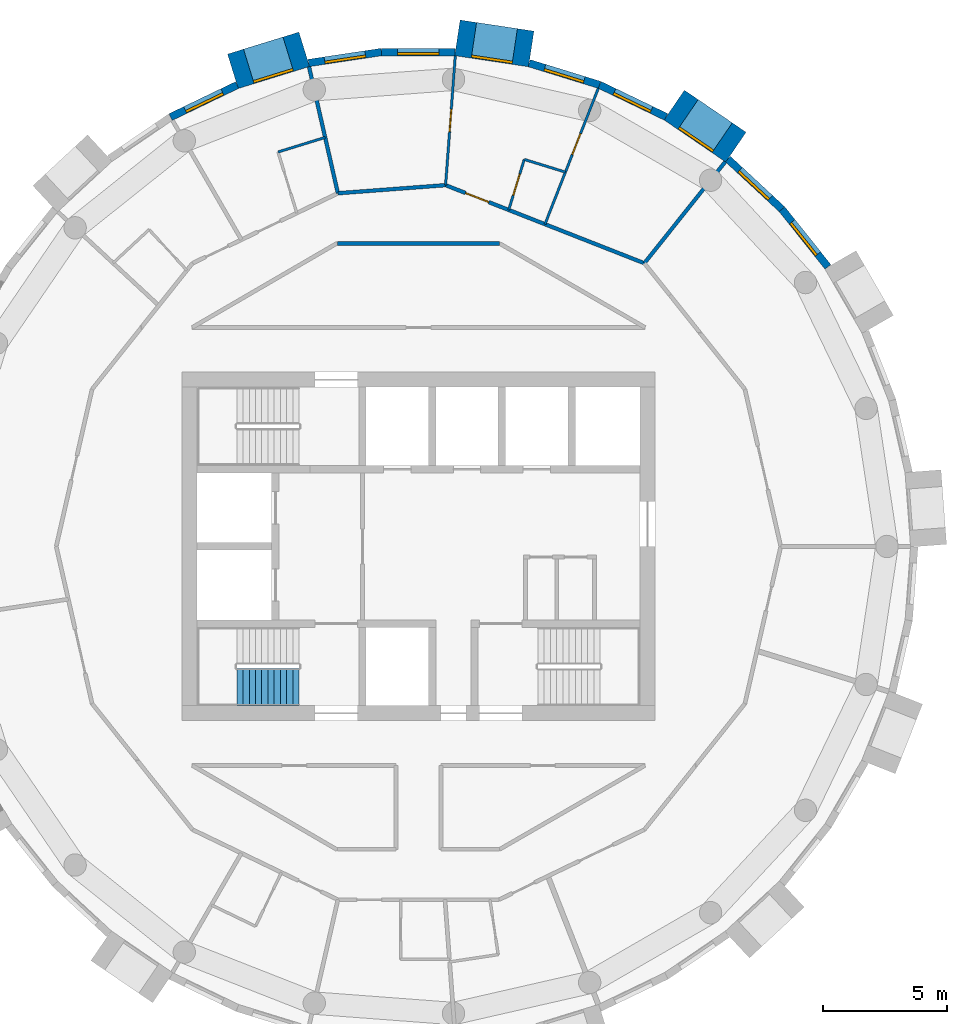
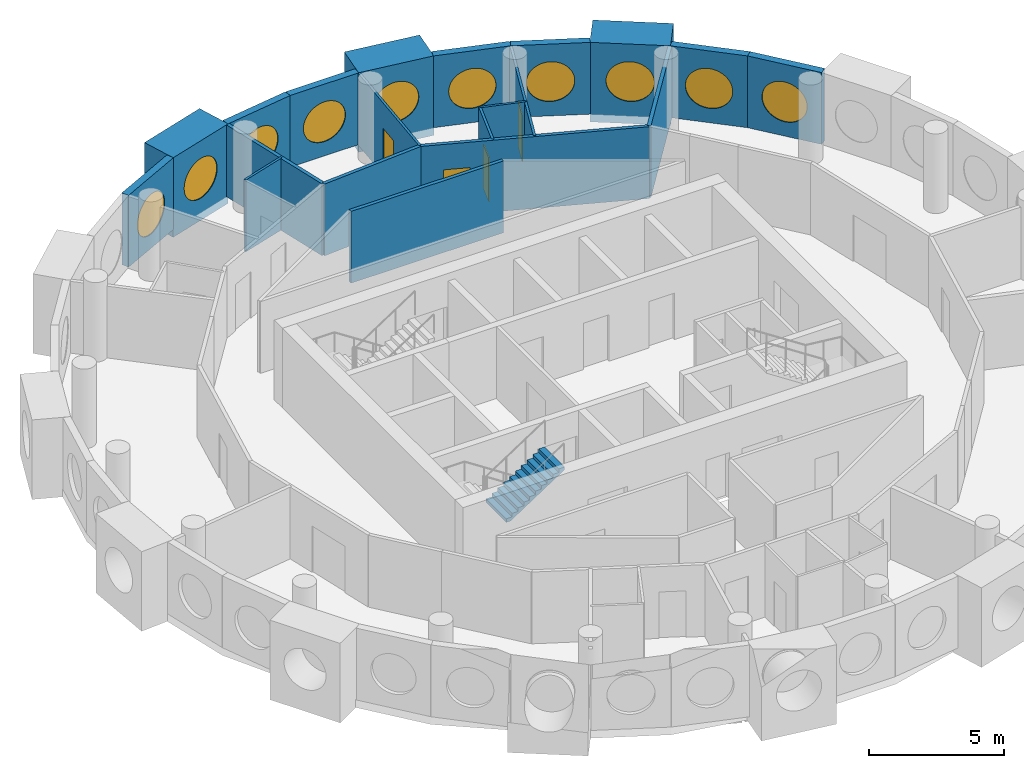
# One storey, part 11 of 13: 21 walls, 10 windows, 4 doors, 1 stair flight, 14 openings, 1 element without a shape of its own.
"""IFC4 building model written with IfcOpenShell, lengths in metres."""

import ifcopenshell
import ifcopenshell.guid

model = None  # the IFC model being written
_history = None  # IfcOwnerHistory: only IFC2X3 demands one
_inside = {}  # id of a spatial element -> (the spatial element, [elements in it])
_under = {}  # id of a project, library or spatial element -> (it, [spatial elements below it])
_declared = {}  # id of a project -> (the project, [libraries it declares])
_typed = {}  # id of a type object -> (the type object, [elements of that type])
_made_of = {}  # id of a material, layer set ... -> (it, [elements and type objects made of it])


def new_model(schema):
    """Start an empty IFC model of exactly this schema.

    Asked for "IFC4X3", IfcOpenShell would pick the latest addendum, in which some entities
    have other attributes; the version numbers below select the first issue.
    IFC2X3 requires an IfcOwnerHistory on every rooted entity: one is made here for all.
    """
    global model, _history
    if schema == "IFC4X3":
        model = ifcopenshell.file(schema_version=(4, 3, 0, 0))
    else:
        model = ifcopenshell.file(schema=schema)
    _inside.clear()
    _under.clear()
    _declared.clear()
    _typed.clear()
    _made_of.clear()
    _history = None
    if model.schema == "IFC2X3":
        org = make("IfcOrganization", Name="unknown")
        user = make(
            "IfcPersonAndOrganization",
            ThePerson=make("IfcPerson", FamilyName="unknown"),
            TheOrganization=org,
        )
        app = make(
            "IfcApplication",
            ApplicationDeveloper=org,
            Version="unknown",
            ApplicationFullName="unknown",
            ApplicationIdentifier="unknown",
        )
        _history = make(
            "IfcOwnerHistory",
            OwningUser=user,
            OwningApplication=app,
            ChangeAction="ADDED",
            CreationDate=0,
        )
    return model


def make(cls, **values):
    """One entity of the class cls with the attributes given. An attribute that is None is left unset."""
    return model.create_entity(
        cls, **{name: value for name, value in values.items() if value is not None}
    )


def rooted(cls, **values):
    """An entity with a GlobalId (a new one), such as an element, a storey or a relation."""
    return make(cls, GlobalId=ifcopenshell.guid.new(), OwnerHistory=_history, **values)


def si_unit(unit_type, name, prefix=None):
    """IfcSIUnit, for example si_unit("LENGTHUNIT", "METRE", prefix="MILLI")."""
    return make("IfcSIUnit", UnitType=unit_type, Prefix=prefix, Name=name)


def assignment(units):
    """IfcUnitAssignment: the units of a project."""
    return None if units is None else make("IfcUnitAssignment", Units=units)


def point(xyz):
    """IfcCartesianPoint."""
    return None if xyz is None else make("IfcCartesianPoint", Coordinates=xyz)


def direction(xyz):
    """IfcDirection."""
    return None if xyz is None else make("IfcDirection", DirectionRatios=xyz)


def frame(location, z_axis=None, x_axis=None):
    """IfcAxis2Placement3D, a coordinate frame: its origin and axes. An axis left out is left unset."""
    return make(
        "IfcAxis2Placement3D",
        Location=point(location),
        Axis=direction(z_axis),
        RefDirection=direction(x_axis),
    )


def frame_2d(location, x_axis=None):
    """IfcAxis2Placement2D, a coordinate frame in the plane: its origin and x axis."""
    return make(
        "IfcAxis2Placement2D", Location=point(location), RefDirection=direction(x_axis)
    )


def origin():
    """The frame at (0, 0, 0) with its axes left unset."""
    return frame((0.0, 0.0, 0.0))


def origin_2d():
    """The frame at (0, 0) in the plane with its x axis left unset."""
    return frame_2d((0.0, 0.0))


def place(relative_to, where):
    """IfcLocalPlacement: puts the frame where relative to a parent placement (None: the world)."""
    return make(
        "IfcLocalPlacement", PlacementRelTo=relative_to, RelativePlacement=where
    )


def context(
    kind, dimensions, precision=None, world=None, true_north=None, identifier=None
):
    """IfcGeometricRepresentationContext, for example the 3D "Model" context."""
    return make(
        "IfcGeometricRepresentationContext",
        ContextIdentifier=identifier,
        ContextType=kind,
        CoordinateSpaceDimension=dimensions,
        Precision=precision,
        WorldCoordinateSystem=world,
        TrueNorth=true_north,
    )


def subcontext(parent, identifier, kind, view, scale=None):
    """IfcGeometricRepresentationSubContext, for example "Body" below "Model"."""
    return make(
        "IfcGeometricRepresentationSubContext",
        ContextIdentifier=identifier,
        ContextType=kind,
        ParentContext=parent,
        TargetScale=scale,
        TargetView=view,
    )


def project(units=None, contexts=None):
    """IfcProject with its units and contexts."""
    return rooted(
        "IfcProject",
        Name="project",
        RepresentationContexts=contexts,
        UnitsInContext=assignment(units),
    )


def spatial(cls, under=None, at=None, **own):
    """A site, building, storey or space (cls), placed at a placement, below another one or the project."""
    s = rooted(cls, ObjectPlacement=at, **own)
    if under is not None:
        _under.setdefault(under.id(), (under, []))[1].append(s)
    return s


def polyline(points):
    """IfcPolyline through the points."""
    return make("IfcPolyline", Points=[point(p) for p in points])


def profile(cls, at=None, kind="AREA", **sizes):
    """A parametric profile (cls). Its sizes go by their IFC names, for example OverallWidth=200.0."""
    return make(cls, ProfileType=kind, Position=at, **sizes)


def rectangle(**sizes):
    """IfcRectangleProfileDef."""
    return profile("IfcRectangleProfileDef", **sizes)


def circle(**sizes):
    """IfcCircleProfileDef."""
    return profile("IfcCircleProfileDef", **sizes)


def outline(outer, holes=None, kind="AREA"):
    """IfcArbitraryClosedProfileDef: a profile drawn as a closed curve; with holes, ...WithVoids."""
    if holes is None:
        return make("IfcArbitraryClosedProfileDef", ProfileType=kind, OuterCurve=outer)
    return make(
        "IfcArbitraryProfileDefWithVoids",
        ProfileType=kind,
        OuterCurve=outer,
        InnerCurves=holes,
    )


def extrude(swept, where, along, depth):
    """IfcExtrudedAreaSolid: the profile swept, set in the frame where, extruded along a direction by depth."""
    return make(
        "IfcExtrudedAreaSolid",
        SweptArea=swept,
        Position=where,
        ExtrudedDirection=direction(along),
        Depth=depth,
    )


def shape(context_of_items, identifier, shape_type, items):
    """IfcShapeRepresentation: the items that make up one representation, for example the "Body"."""
    return make(
        "IfcShapeRepresentation",
        ContextOfItems=context_of_items,
        RepresentationIdentifier=identifier,
        RepresentationType=shape_type,
        Items=items,
    )


def material(Name=None, Category=None):
    """IfcMaterial."""
    return make("IfcMaterial", Name=Name, Category=Category)


def layer(
    of_material, thickness, ventilated=None, Name=None, Category=None, Priority=None
):
    """IfcMaterialLayer: one layer of a wall or slab, of a material (None: an air gap)."""
    return make(
        "IfcMaterialLayer",
        Material=of_material,
        LayerThickness=thickness,
        IsVentilated=ventilated,
        Name=Name,
        Category=Category,
        Priority=Priority,
    )


def layer_set(layers, Name=None):
    """IfcMaterialLayerSet."""
    return make("IfcMaterialLayerSet", MaterialLayers=layers, LayerSetName=Name)


def made_of(thing, what):
    """Note that an element or type object is made of a material, layer set ...; save() writes the relation."""
    if what is not None:
        _made_of.setdefault(what.id(), (what, []))[1].append(thing)
    return thing


def type_object(cls, material=None, **own):
    """A type object (cls), such as IfcWallType, which elements share."""
    return made_of(rooted(cls, **own), material)


def element(
    cls,
    number,
    at=None,
    inside=None,
    cuts=None,
    type_object=None,
    material=None,
    context=None,
    identifier="Body",
    shape_type=None,
    held_by="IfcProductDefinitionShape",
    body=None,
    shapes=None,
    **own,
):
    """One element of the class cls, such as IfcWall. Its Tag is "e" and its number.

    at: its placement. inside: the storey or other place that contains it. cuts: it is an
    opening in that element (IfcRelVoidsElement). A single representation is given by context,
    identifier, shape_type and body (its items); several are given by shapes. held_by: the class
    of the entity that holds the representations. save() writes the other relations.
    """
    e = rooted(cls, Tag="e%d" % number, ObjectPlacement=at, **own)
    if body is not None:
        shapes = [shape(context, identifier, shape_type, body)]
    if shapes is not None:
        e.Representation = make(held_by, Representations=shapes)
    if inside is not None:
        _inside.setdefault(inside.id(), (inside, []))[1].append(e)
    if cuts is not None:
        rooted(
            "IfcRelVoidsElement", RelatingBuildingElement=cuts, RelatedOpeningElement=e
        )
    if type_object is not None:
        _typed.setdefault(type_object.id(), (type_object, []))[1].append(e)
    return made_of(e, material)


def fill(opening, filler):
    """IfcRelFillsElement: the door or window that sits in an opening."""
    return rooted(
        "IfcRelFillsElement",
        RelatingOpeningElement=opening,
        RelatedBuildingElement=filler,
    )


def aggregate(whole, parts):
    """IfcRelAggregates: a whole, such as a stair, and the parts it consists of."""
    return rooted("IfcRelAggregates", RelatingObject=whole, RelatedObjects=parts)


def save(model, path):
    """Write the relations noted so far, then the file.

    IfcRelAggregates (storeys below a building ...), IfcRelContainedInSpatialStructure (elements
    in a storey), IfcRelDefinesByType, IfcRelAssociatesMaterial and IfcRelDeclares: one each for
    every whole, place, type object, material and project.
    """
    for whole, parts in _under.values():
        aggregate(whole, parts)
    for where, things in _inside.values():
        rooted(
            "IfcRelContainedInSpatialStructure",
            RelatedElements=things,
            RelatingStructure=where,
        )
    for kind, things in _typed.values():
        rooted("IfcRelDefinesByType", RelatedObjects=things, RelatingType=kind)
    for what, things in _made_of.values():
        rooted("IfcRelAssociatesMaterial", RelatedObjects=things, RelatingMaterial=what)
    for by, libraries in _declared.values():
        rooted("IfcRelDeclares", RelatingContext=by, RelatedDefinitions=libraries)
    model.write(path)


model = new_model("IFC4")

# Units and contexts
model_context = context("Model", 3, precision=1e-05, world=origin(), true_north=direction((0.0, 1.0)))
body_context = subcontext(model_context, "Body", "Model", "MODEL_VIEW")
ifc_project = project(units=[si_unit("LENGTHUNIT", "METRE"), si_unit("AREAUNIT", "SQUARE_METRE"), si_unit("VOLUMEUNIT", "CUBIC_METRE"), si_unit("PLANEANGLEUNIT", "RADIAN"), si_unit("MASSUNIT", "GRAM", prefix="KILO")], contexts=[model_context])

# Site, building, storey
site_placement = place(None, origin())
site = spatial("IfcSite", under=ifc_project, at=site_placement, CompositionType="ELEMENT")
building_placement = place(site_placement, origin())
building = spatial("IfcBuilding", under=site, at=building_placement, Name="Tracery Tower", CompositionType="ELEMENT")
storey_placement = place(building_placement, frame((0.0, 0.0, 316.199951171875)))
storey = spatial("IfcBuildingStorey", under=building, at=storey_placement, Name="L82", CompositionType="ELEMENT", Elevation=316.199951171875)

# Wall, opening, window
ifc_material_1 = material(Name="Precast concrete C50/60", Category="concrete")
ifc_layer_1 = layer(ifc_material_1, 1.449951171875)
ifc_layer_set_1 = layer_set([ifc_layer_1], Name="Deep-set bay unit 3000 x 3600, slab edge 350")
wall_type_1 = type_object("IfcWallType", Name="Deep-set bay unit 3000 x 3600, slab edge 350", PredefinedType="ELEMENTEDWALL", material=ifc_layer_set_1)
wall_1_placement = place(storey_placement, frame((12.754150390625, 16.044189453125, -0.349853515625), z_axis=(0.0, 0.0, 1.0), x_axis=(-0.826246281157, 0.563309047392, 0.0)))
wall_1 = element("IfcWall", 1, at=wall_1_placement, inside=storey, type_object=wall_type_1, Name="Deep-set bay unit 7 at L82", PredefinedType="ELEMENTEDWALL", context=body_context, shape_type="SweptSolid", body=[
    extrude(rectangle(XDim=3.0, YDim=1.449951171875, at=frame_2d((1.5, 0.0))), origin(), (0.0, 0.0, 1.0), 3.599853515625),
])
opening_1_placement = place(wall_1_placement, frame((1.5, 0.0, 1.89990234375)))
opening_1 = element("IfcOpeningElement", 2, at=opening_1_placement, cuts=wall_1, Name="Opening WN1", PredefinedType="OPENING", context=body_context, shape_type="SweptSolid", body=[
    extrude(circle(Radius=0.9000244140625, at=origin_2d()), frame((0.0, 0.73486328125, 0.0), z_axis=(0.0, -1.0, 0.0), x_axis=(1.0, 0.0, 0.0)), (0.0, 0.0, 1.0), 1.469970703125),
])
ifc_material_2 = material(Name="Aluminium frame with tinted double glazing", Category="aluminium")
window_type = type_object("IfcWindowType", Name="Round window 1800", PartitioningType="SINGLE_PANEL", PredefinedType="WINDOW", material=ifc_material_2)
window_1_placement = place(opening_1_placement, origin())
window_1 = element("IfcWindow", 3, at=window_1_placement, inside=storey, type_object=window_type, Name="Round window 7 at L82", OverallHeight=1.800048828125, OverallWidth=1.800048828125, PartitioningType="SINGLE_PANEL", PredefinedType="WINDOW", context=body_context, shape_type="SweptSolid", body=[
    extrude(circle(Radius=0.9000244140625, at=origin_2d()), frame((0.0, 0.69482421875, 0.0), z_axis=(0.0, -1.0, 0.0), x_axis=(1.0, 0.0, 0.0)), (0.0, 0.0, 1.0), 0.10009765625),
])
fill(opening_1, window_1)

wall_2_placement = place(storey_placement, frame((4.52978515625, 19.9892578125, -0.349853515625), z_axis=(0.0, 0.0, 1.0), x_axis=(-0.988836445254, 0.149004981587, 0.0)))
wall_2 = element("IfcWall", 4, at=wall_2_placement, inside=storey, type_object=wall_type_1, Name="Deep-set bay unit 10 at L82", PredefinedType="ELEMENTEDWALL", context=body_context, shape_type="SweptSolid", body=[
    extrude(rectangle(XDim=3.0, YDim=1.449951171875, at=frame_2d((1.5, 0.0))), origin(), (0.0, 0.0, 1.0), 3.599853515625),
])
opening_2_placement = place(wall_2_placement, frame((1.5, 0.0, 1.89990234375)))
opening_2 = element("IfcOpeningElement", 5, at=opening_2_placement, cuts=wall_2, Name="Opening WN1", PredefinedType="OPENING", context=body_context, shape_type="SweptSolid", body=[
    extrude(circle(Radius=0.9000244140625, at=origin_2d()), frame((0.0, 0.73486328125, 0.0), z_axis=(0.0, -1.0, 0.0), x_axis=(1.0, 0.0, 0.0)), (0.0, 0.0, 1.0), 1.469970703125),
])
window_2_placement = place(opening_2_placement, origin())
window_2 = element("IfcWindow", 6, at=window_2_placement, inside=storey, type_object=window_type, Name="Round window 10 at L82", OverallHeight=1.800048828125, OverallWidth=1.800048828125, PartitioningType="SINGLE_PANEL", PredefinedType="WINDOW", context=body_context, shape_type="SweptSolid", body=[
    extrude(circle(Radius=0.9000244140625, at=origin_2d()), frame((0.0, 0.69482421875, 0.0), z_axis=(0.0, -1.0, 0.0), x_axis=(1.0, 0.0, 0.0)), (0.0, 0.0, 1.0), 0.10009765625),
])
fill(opening_2, window_2)

wall_3_placement = place(storey_placement, frame((-4.591796875, 19.97509765625, -0.349853515625), z_axis=(0.0, 0.0, 1.0), x_axis=(-0.955571139978, -0.294760574774, 0.0)))
wall_3 = element("IfcWall", 7, at=wall_3_placement, inside=storey, type_object=wall_type_1, Name="Deep-set bay unit 13 at L82", PredefinedType="ELEMENTEDWALL", context=body_context, shape_type="SweptSolid", body=[
    extrude(rectangle(XDim=3.0, YDim=1.449951171875, at=frame_2d((1.5, 0.0))), origin(), (0.0, 0.0, 1.0), 3.599853515625),
])
opening_3_placement = place(wall_3_placement, frame((1.5, 0.0, 1.89990234375)))
opening_3 = element("IfcOpeningElement", 8, at=opening_3_placement, cuts=wall_3, Name="Opening WN1", PredefinedType="OPENING", context=body_context, shape_type="SweptSolid", body=[
    extrude(circle(Radius=0.9000244140625, at=origin_2d()), frame((0.0, 0.73486328125, 0.0), z_axis=(0.0, -1.0, 0.0), x_axis=(1.0, 0.0, 0.0)), (0.0, 0.0, 1.0), 1.469970703125),
])
window_3_placement = place(opening_3_placement, origin())
window_3 = element("IfcWindow", 9, at=window_3_placement, inside=storey, type_object=window_type, Name="Round window 13 at L82", OverallHeight=1.800048828125, OverallWidth=1.800048828125, PartitioningType="SINGLE_PANEL", PredefinedType="WINDOW", context=body_context, shape_type="SweptSolid", body=[
    extrude(circle(Radius=0.9000244140625, at=origin_2d()), frame((0.0, 0.69482421875, 0.0), z_axis=(0.0, -1.0, 0.0), x_axis=(1.0, 0.0, 0.0)), (0.0, 0.0, 1.0), 0.10009765625),
])
fill(opening_3, window_3)

ifc_material_3 = material(Name="Precast concrete C50/60", Category="concrete")
ifc_layer_2 = layer(ifc_material_3, 0.300048828125)
ifc_layer_set_2 = layer_set([ifc_layer_2], Name="Facade panel 3000 x 3250")
wall_type_2 = type_object("IfcWallType", Name="Facade panel 3000 x 3250", PredefinedType="SOLIDWALL", material=ifc_layer_set_2)
wall_4_placement = place(storey_placement, frame((16.45068359375, 11.234375, 0.0), z_axis=(0.0, 0.0, 1.0), x_axis=(-0.623498236992, 0.781824755599, 0.0)))
wall_4 = element("IfcWall", 10, at=wall_4_placement, inside=storey, type_object=wall_type_2, Name="Facade panel 5 at L82", PredefinedType="SOLIDWALL", context=body_context, shape_type="SweptSolid", body=[
    extrude(rectangle(XDim=2.962158203125, YDim=0.300048828125, at=frame_2d((1.48095703125, 0.0))), origin(), (0.0, 0.0, 1.0), 3.25),
])
opening_4_placement = place(wall_4_placement, frame((1.48095703125, 0.0, 1.5498046875)))
opening_4 = element("IfcOpeningElement", 11, at=opening_4_placement, cuts=wall_4, Name="Opening WN1", PredefinedType="OPENING", context=body_context, shape_type="SweptSolid", body=[
    extrude(circle(Radius=0.9000244140625, at=origin_2d()), frame((0.0, 0.159912109375, 0.0), z_axis=(0.0, -1.0, 0.0), x_axis=(1.0, 0.0, 0.0)), (0.0, 0.0, 1.0), 0.320068359375),
])
window_4_placement = place(opening_4_placement, origin())
window_4 = element("IfcWindow", 12, at=window_4_placement, inside=storey, type_object=window_type, Name="Round window 5 at L82", OverallHeight=1.800048828125, OverallWidth=1.800048828125, PartitioningType="SINGLE_PANEL", PredefinedType="WINDOW", context=body_context, shape_type="SweptSolid", body=[
    extrude(circle(Radius=0.9000244140625, at=origin_2d()), frame((0.0, 0.1201171875, 0.0), z_axis=(0.0, -1.0, 0.0), x_axis=(1.0, 0.0, 0.0)), (0.0, 0.0, 1.0), 0.10009765625),
])
fill(opening_4, window_4)

wall_5_placement = place(storey_placement, frame((14.603759765625, 13.55029296875, 0.0), z_axis=(0.0, 0.0, 1.0), x_axis=(-0.733066412643, 0.680157066165, 0.0)))
wall_5 = element("IfcWall", 13, at=wall_5_placement, inside=storey, type_object=wall_type_2, Name="Facade panel 6 at L82", PredefinedType="SOLIDWALL", context=body_context, shape_type="SweptSolid", body=[
    extrude(rectangle(XDim=2.96240234375, YDim=0.300048828125, at=frame_2d((1.481201171875, 0.0))), origin(), (0.0, 0.0, 1.0), 3.25),
])
opening_5_placement = place(wall_5_placement, frame((1.48095703125, 0.0, 1.5498046875)))
opening_5 = element("IfcOpeningElement", 14, at=opening_5_placement, cuts=wall_5, Name="Opening WN1", PredefinedType="OPENING", context=body_context, shape_type="SweptSolid", body=[
    extrude(circle(Radius=0.9000244140625, at=origin_2d()), frame((0.0, 0.159912109375, 0.0), z_axis=(0.0, -1.0, 0.0), x_axis=(1.0, 0.0, 0.0)), (0.0, 0.0, 1.0), 0.320068359375),
])
window_5_placement = place(opening_5_placement, origin())
window_5 = element("IfcWindow", 15, at=window_5_placement, inside=storey, type_object=window_type, Name="Round window 6 at L82", OverallHeight=1.800048828125, OverallWidth=1.800048828125, PartitioningType="SINGLE_PANEL", PredefinedType="WINDOW", context=body_context, shape_type="SweptSolid", body=[
    extrude(circle(Radius=0.9000244140625, at=origin_2d()), frame((0.0, 0.1201171875, 0.0), z_axis=(0.0, -1.0, 0.0), x_axis=(1.0, 0.0, 0.0)), (0.0, 0.0, 1.0), 0.10009765625),
])
fill(opening_5, window_5)

wall_6_placement = place(storey_placement, frame((9.947021484375, 17.25927734375, 0.0), z_axis=(0.0, 0.0, 1.0), x_axis=(-0.900939615635, 0.433944476838, 0.0)))
wall_6 = element("IfcWall", 16, at=wall_6_placement, inside=storey, type_object=wall_type_2, Name="Facade panel 8 at L82", PredefinedType="SOLIDWALL", context=body_context, shape_type="SweptSolid", body=[
    extrude(rectangle(XDim=2.962158203125, YDim=0.300048828125, at=frame_2d((1.48095703125, 0.0))), origin(), (0.0, 0.0, 1.0), 3.25),
])
opening_6_placement = place(wall_6_placement, frame((1.48095703125, 0.0, 1.5498046875)))
opening_6 = element("IfcOpeningElement", 17, at=opening_6_placement, cuts=wall_6, Name="Opening WN1", PredefinedType="OPENING", context=body_context, shape_type="SweptSolid", body=[
    extrude(circle(Radius=0.9000244140625, at=origin_2d()), frame((0.0, 0.159912109375, 0.0), z_axis=(0.0, -1.0, 0.0), x_axis=(1.0, 0.0, 0.0)), (0.0, 0.0, 1.0), 0.320068359375),
])
window_6_placement = place(opening_6_placement, origin())
window_6 = element("IfcWindow", 18, at=window_6_placement, inside=storey, type_object=window_type, Name="Round window 8 at L82", OverallHeight=1.800048828125, OverallWidth=1.800048828125, PartitioningType="SINGLE_PANEL", PredefinedType="WINDOW", context=body_context, shape_type="SweptSolid", body=[
    extrude(circle(Radius=0.9000244140625, at=origin_2d()), frame((0.0, 0.1201171875, 0.0), z_axis=(0.0, -1.0, 0.0), x_axis=(1.0, 0.0, 0.0)), (0.0, 0.0, 1.0), 0.10009765625),
])
fill(opening_6, window_6)

wall_7_placement = place(storey_placement, frame((7.2783203125, 18.544677734375, 0.0), z_axis=(0.0, 0.0, 1.0), x_axis=(-0.95558635705, 0.294711238707, 0.0)))
wall_7 = element("IfcWall", 19, at=wall_7_placement, inside=storey, type_object=wall_type_2, Name="Facade panel 9 at L82", PredefinedType="SOLIDWALL", context=body_context, shape_type="SweptSolid", body=[
    extrude(rectangle(XDim=2.96240234375, YDim=0.300048828125, at=frame_2d((1.481201171875, 0.0))), origin(), (0.0, 0.0, 1.0), 3.25),
])
opening_7_placement = place(wall_7_placement, frame((1.48095703125, 0.0, 1.5498046875)))
opening_7 = element("IfcOpeningElement", 20, at=opening_7_placement, cuts=wall_7, Name="Opening WN1", PredefinedType="OPENING", context=body_context, shape_type="SweptSolid", body=[
    extrude(circle(Radius=0.9000244140625, at=origin_2d()), frame((0.0, 0.159912109375, 0.0), z_axis=(0.0, -1.0, 0.0), x_axis=(1.0, 0.0, 0.0)), (0.0, 0.0, 1.0), 0.320068359375),
])
window_7_placement = place(opening_7_placement, origin())
window_7 = element("IfcWindow", 21, at=window_7_placement, inside=storey, type_object=window_type, Name="Round window 9 at L82", OverallHeight=1.800048828125, OverallWidth=1.800048828125, PartitioningType="SINGLE_PANEL", PredefinedType="WINDOW", context=body_context, shape_type="SweptSolid", body=[
    extrude(circle(Radius=0.9000244140625, at=origin_2d()), frame((0.0, 0.1201171875, 0.0), z_axis=(0.0, -1.0, 0.0), x_axis=(1.0, 0.0, 0.0)), (0.0, 0.0, 1.0), 0.10009765625),
])
fill(opening_7, window_7)

wall_8_placement = place(storey_placement, frame((1.473388671875, 19.865966796875, 0.0), z_axis=(0.0, 0.0, 1.0), x_axis=(-1.0, 0.0, 0.0)))
wall_8 = element("IfcWall", 22, at=wall_8_placement, inside=storey, type_object=wall_type_2, Name="Facade panel 11 at L82", PredefinedType="SOLIDWALL", context=body_context, shape_type="SweptSolid", body=[
    extrude(rectangle(XDim=2.962158203125, YDim=0.300048828125, at=frame_2d((1.48095703125, 0.0))), origin(), (0.0, 0.0, 1.0), 3.25),
])
opening_8_placement = place(wall_8_placement, frame((1.48095703125, 0.0, 1.5498046875)))
opening_8 = element("IfcOpeningElement", 23, at=opening_8_placement, cuts=wall_8, Name="Opening WN1", PredefinedType="OPENING", context=body_context, shape_type="SweptSolid", body=[
    extrude(circle(Radius=0.9000244140625, at=origin_2d()), frame((0.0, 0.159912109375, 0.0), z_axis=(0.0, -1.0, 0.0), x_axis=(1.0, 0.0, 0.0)), (0.0, 0.0, 1.0), 0.320068359375),
])
window_8_placement = place(opening_8_placement, origin())
window_8 = element("IfcWindow", 24, at=window_8_placement, inside=storey, type_object=window_type, Name="Round window 11 at L82", OverallHeight=1.800048828125, OverallWidth=1.800048828125, PartitioningType="SINGLE_PANEL", PredefinedType="WINDOW", context=body_context, shape_type="SweptSolid", body=[
    extrude(circle(Radius=0.9000244140625, at=origin_2d()), frame((0.0, 0.1201171875, 0.0), z_axis=(0.0, -1.0, 0.0), x_axis=(1.0, 0.0, 0.0)), (0.0, 0.0, 1.0), 0.10009765625),
])
fill(opening_8, window_8)

wall_9_placement = place(storey_placement, frame((-1.48876953125, 19.865966796875, 0.0), z_axis=(0.0, 0.0, 1.0), x_axis=(-0.988835775663, -0.149009425104, 0.0)))
wall_9 = element("IfcWall", 25, at=wall_9_placement, inside=storey, type_object=wall_type_2, Name="Facade panel 12 at L82", PredefinedType="SOLIDWALL", context=body_context, shape_type="SweptSolid", body=[
    extrude(rectangle(XDim=2.962158203125, YDim=0.300048828125, at=frame_2d((1.48095703125, 0.0))), origin(), (0.0, 0.0, 1.0), 3.25),
])
opening_9_placement = place(wall_9_placement, frame((1.48095703125, 0.0, 1.5498046875)))
opening_9 = element("IfcOpeningElement", 26, at=opening_9_placement, cuts=wall_9, Name="Opening WN1", PredefinedType="OPENING", context=body_context, shape_type="SweptSolid", body=[
    extrude(circle(Radius=0.9000244140625, at=origin_2d()), frame((0.0, 0.159912109375, 0.0), z_axis=(0.0, -1.0, 0.0), x_axis=(1.0, 0.0, 0.0)), (0.0, 0.0, 1.0), 0.320068359375),
])
window_9_placement = place(opening_9_placement, origin())
window_9 = element("IfcWindow", 27, at=window_9_placement, inside=storey, type_object=window_type, Name="Round window 12 at L82", OverallHeight=1.800048828125, OverallWidth=1.800048828125, PartitioningType="SINGLE_PANEL", PredefinedType="WINDOW", context=body_context, shape_type="SweptSolid", body=[
    extrude(circle(Radius=0.9000244140625, at=origin_2d()), frame((0.0, 0.1201171875, 0.0), z_axis=(0.0, -1.0, 0.0), x_axis=(1.0, 0.0, 0.0)), (0.0, 0.0, 1.0), 0.10009765625),
])
fill(opening_9, window_9)

wall_10_placement = place(storey_placement, frame((-7.2919921875, 18.5380859375, 0.0), z_axis=(0.0, 0.0, 1.0), x_axis=(-0.90095513435, -0.433912255978, 0.0)))
wall_10 = element("IfcWall", 28, at=wall_10_placement, inside=storey, type_object=wall_type_2, Name="Facade panel 14 at L82", PredefinedType="SOLIDWALL", context=body_context, shape_type="SweptSolid", body=[
    extrude(rectangle(XDim=2.96240234375, YDim=0.300048828125, at=frame_2d((1.481201171875, 0.0))), origin(), (0.0, 0.0, 1.0), 3.25),
])
opening_10_placement = place(wall_10_placement, frame((1.48095703125, 0.0, 1.5498046875)))
opening_10 = element("IfcOpeningElement", 29, at=opening_10_placement, cuts=wall_10, Name="Opening WN1", PredefinedType="OPENING", context=body_context, shape_type="SweptSolid", body=[
    extrude(circle(Radius=0.9000244140625, at=origin_2d()), frame((0.0, 0.159912109375, 0.0), z_axis=(0.0, -1.0, 0.0), x_axis=(1.0, 0.0, 0.0)), (0.0, 0.0, 1.0), 0.320068359375),
])
window_10_placement = place(opening_10_placement, origin())
window_10 = element("IfcWindow", 30, at=window_10_placement, inside=storey, type_object=window_type, Name="Round window 14 at L82", OverallHeight=1.800048828125, OverallWidth=1.800048828125, PartitioningType="SINGLE_PANEL", PredefinedType="WINDOW", context=body_context, shape_type="SweptSolid", body=[
    extrude(circle(Radius=0.9000244140625, at=origin_2d()), frame((0.0, 0.1201171875, 0.0), z_axis=(0.0, -1.0, 0.0), x_axis=(1.0, 0.0, 0.0)), (0.0, 0.0, 1.0), 0.10009765625),
])
fill(opening_10, window_10)

# Wall, opening, door
ifc_material_4 = material(Name="Plasterboard on steel studs", Category="steel")
ifc_layer_3 = layer(ifc_material_4, 0.10009765625)
ifc_layer_set_3 = layer_set([ifc_layer_3], Name="Partition 100 stud")
wall_type_3 = type_object("IfcWallType", Name="Partition 100 stud", PredefinedType="PARTITIONING", material=ifc_layer_set_3)
wall_11_placement = place(storey_placement, frame((5.903076171875, 15.041015625, 0.0), z_axis=(0.0, 0.0, 1.0), x_axis=(0.36523219083, 0.930916455318, 0.0)))
wall_11 = element("IfcWall", 31, at=wall_11_placement, inside=storey, type_object=wall_type_3, Name="Stud partition RC9-045", PredefinedType="PARTITIONING", context=body_context, shape_type="SweptSolid", body=[
    extrude(rectangle(XDim=3.61376953125, YDim=0.10009765625, at=frame_2d((1.806884765625, 0.0))), origin(), (0.0, 0.0, 1.0), 3.25),
])
opening_11_placement = place(wall_11_placement, frame((0.756591796875, 0.0, 0.0)))
opening_11 = element("IfcOpeningElement", 32, at=opening_11_placement, cuts=wall_11, Name="Opening RC9-05", PredefinedType="OPENING", context=body_context, shape_type="SweptSolid", body=[
    extrude(rectangle(XDim=0.89990234375, YDim=2.10009765625, at=frame_2d((0.449951171875, 1.050048828125))), frame((0.0, 0.050048828125, 0.0), z_axis=(0.0, -1.0, 0.0), x_axis=(1.0, 0.0, 0.0)), (0.0, 0.0, 1.0), 0.10009765625),
])
ifc_material_5 = material(Name="Timber door leaf", Category="wood")
door_type_1 = type_object("IfcDoorType", Name="Door bedroom 900", OperationType="NOTDEFINED", PredefinedType="DOOR", material=ifc_material_5)
door_1_placement = place(opening_11_placement, origin())
door_1 = element("IfcDoor", 33, at=door_1_placement, inside=storey, type_object=door_type_1, Name="Bedroom door RC9-05", OperationType="SINGLE_SWING_RIGHT", OverallHeight=2.10009765625, OverallWidth=0.89990234375, PredefinedType="DOOR", context=body_context, shape_type="SweptSolid", body=[
    extrude(rectangle(XDim=0.89990234375, YDim=2.10009765625, at=frame_2d((0.449951171875, 1.050048828125))), frame((0.0, 0.02490234375, 0.0), z_axis=(0.0, -1.0, 0.0), x_axis=(1.0, 0.0, 0.0)), (0.0, 0.0, 1.0), 0.050048828125),
])
fill(opening_11, door_1)

wall_12_placement = place(storey_placement, frame((1.087890625, 14.51611328125, 0.0), z_axis=(0.0, 0.0, 1.0), x_axis=(0.074816718541, 0.997197301755, 0.0)))
wall_12 = element("IfcWall", 34, at=wall_12_placement, inside=storey, type_object=wall_type_3, Name="Stud partition RC9-046", PredefinedType="PARTITIONING", context=body_context, shape_type="SweptSolid", body=[
    extrude(rectangle(XDim=5.214599609375, YDim=0.10009765625, at=frame_2d((2.607421875, 0.0))), origin(), (0.0, 0.0, 1.0), 3.25),
])
opening_12_placement = place(wall_12_placement, frame((2.156982421875, 0.0, 0.0)))
opening_12 = element("IfcOpeningElement", 35, at=opening_12_placement, cuts=wall_12, Name="Opening RC9-06", PredefinedType="OPENING", context=body_context, shape_type="SweptSolid", body=[
    extrude(rectangle(XDim=0.89990234375, YDim=2.10009765625, at=frame_2d((0.449951171875, 1.050048828125))), frame((0.0, 0.050048828125, 0.0), z_axis=(0.0, -1.0, 0.0), x_axis=(1.0, 0.0, 0.0)), (0.0, 0.0, 1.0), 0.10009765625),
])
door_2_placement = place(opening_12_placement, origin())
door_2 = element("IfcDoor", 36, at=door_2_placement, inside=storey, type_object=door_type_1, Name="Bedroom door RC9-06", OperationType="SINGLE_SWING_LEFT", OverallHeight=2.10009765625, OverallWidth=0.89990234375, PredefinedType="DOOR", context=body_context, shape_type="SweptSolid", body=[
    extrude(rectangle(XDim=0.89990234375, YDim=2.10009765625, at=frame_2d((0.449951171875, 1.050048828125))), frame((0.0, 0.02490234375, 0.0), z_axis=(0.0, -1.0, 0.0), x_axis=(1.0, 0.0, 0.0)), (0.0, 0.0, 1.0), 0.050048828125),
])
fill(opening_12, door_2)

# Wall
ifc_material_6 = material(Name="Plasterboard on steel studs", Category="steel")
ifc_layer_4 = layer(ifc_material_6, 0.10009765625)
ifc_layer_set_4 = layer_set([ifc_layer_4], Name="Partition 100 wet wall")
wall_type_4 = type_object("IfcWallType", Name="Partition 100 wet wall", PredefinedType="PARTITIONING", material=ifc_layer_set_4)
wall_13_placement = place(storey_placement, frame((4.25, 15.551025390625, 0.0), z_axis=(0.0, 0.0, 1.0), x_axis=(0.955555986234, -0.294809696536, 0.0)))
element("IfcWall", 37, at=wall_13_placement, inside=storey, type_object=wall_type_4, Name="Wet wall RC9-047", PredefinedType="PARTITIONING", context=body_context, shape_type="SweptSolid", body=[
    extrude(rectangle(XDim=1.72998046875, YDim=0.10009765625, at=frame_2d((0.864990234375, 0.0))), origin(), (0.0, 0.0, 1.0), 3.25),
])

# Wall, opening, door
wall_14_placement = place(storey_placement, frame((3.6240234375, 13.52099609375, 0.0), z_axis=(0.0, 0.0, 1.0), x_axis=(0.294667251911, 0.955599921856, 0.0)))
wall_14 = element("IfcWall", 38, at=wall_14_placement, inside=storey, type_object=wall_type_4, Name="Wet wall RC9-048", PredefinedType="PARTITIONING", context=body_context, shape_type="SweptSolid", body=[
    extrude(rectangle(XDim=2.124267578125, YDim=0.10009765625, at=frame_2d((1.06201171875, 0.0))), origin(), (0.0, 0.0, 1.0), 3.25),
])
opening_13_placement = place(wall_14_placement, frame((0.6123046875, 0.0, 0.0)))
opening_13 = element("IfcOpeningElement", 39, at=opening_13_placement, cuts=wall_14, Name="Opening RC9-07", PredefinedType="OPENING", context=body_context, shape_type="SweptSolid", body=[
    extrude(rectangle(XDim=0.89990234375, YDim=2.0, at=frame_2d((0.449951171875, 1.0))), frame((0.0, 0.050048828125, 0.0), z_axis=(0.0, -1.0, 0.0), x_axis=(1.0, 0.0, 0.0)), (0.0, 0.0, 1.0), 0.10009765625),
])
ifc_material_7 = material(Name="Timber door leaf", Category="wood")
door_type_2 = type_object("IfcDoorType", Name="Door shower room 900", OperationType="NOTDEFINED", PredefinedType="DOOR", material=ifc_material_7)
door_3_placement = place(opening_13_placement, origin())
door_3 = element("IfcDoor", 40, at=door_3_placement, inside=storey, type_object=door_type_2, Name="Shower room door RC9-07", OperationType="SINGLE_SWING_LEFT", OverallHeight=2.0, OverallWidth=0.89990234375, PredefinedType="DOOR", context=body_context, shape_type="SweptSolid", body=[
    extrude(rectangle(XDim=0.89990234375, YDim=2.0, at=frame_2d((0.449951171875, 1.0))), frame((0.0, 0.02490234375, 0.0), z_axis=(0.0, -1.0, 0.0), x_axis=(1.0, 0.0, 0.0)), (0.0, 0.0, 1.0), 0.050048828125),
])
fill(opening_13, door_3)

# Walls
wall_15_placement = place(storey_placement, frame((5.08203125, 12.948974609375, 0.0), z_axis=(0.0, 0.0, 1.0), x_axis=(0.365118857447, 0.930960912142, 0.0)))
element("IfcWall", 41, at=wall_15_placement, inside=storey, type_object=wall_type_4, Name="Wet wall RC9-049", PredefinedType="PARTITIONING", context=body_context, shape_type="SweptSolid", body=[
    extrude(rectangle(XDim=2.25146484375, YDim=0.10009765625, at=frame_2d((1.125732421875, 0.0))), origin(), (0.0, 0.0, 1.0), 3.25),
])
wall_16_placement = place(storey_placement, frame((-5.64501953125, 15.84912109375, 0.0), z_axis=(0.0, 0.0, 1.0), x_axis=(0.955469584731, 0.295089601059, 0.0)))
element("IfcWall", 42, at=wall_16_placement, inside=storey, type_object=wall_type_4, Name="Wet wall RC9-051", PredefinedType="PARTITIONING", context=body_context, shape_type="SweptSolid", body=[
    extrude(rectangle(XDim=1.982421875, YDim=0.10009765625, at=frame_2d((0.9912109375, 0.0))), origin(), (0.0, 0.0, 1.0), 3.25),
])
ifc_material_8 = material(Name="Plasterboard on steel studs", Category="steel")
ifc_layer_5 = layer(ifc_material_8, 0.14990234375)
ifc_layer_set_5 = layer_set([ifc_layer_5], Name="Partition 150 acoustic unit wall")
wall_type_5 = type_object("IfcWallType", Name="Partition 150 acoustic unit wall", PredefinedType="PARTITIONING", material=ifc_layer_set_5)
wall_17_placement = place(storey_placement, frame((9.075927734375, 11.381103515625, 0.0), z_axis=(0.0, 0.0, 1.0), x_axis=(0.623460949534, 0.781854490558, 0.0)))
element("IfcWall", 43, at=wall_17_placement, inside=storey, type_object=wall_type_5, Name="Unit wall RC9-043", PredefinedType="PARTITIONING", context=body_context, shape_type="SweptSolid", body=[
    extrude(rectangle(XDim=5.21435546875, YDim=0.14990234375, at=frame_2d((2.607177734375, 0.0))), origin(), (0.0, 0.0, 1.0), 3.25),
])
wall_18_placement = place(storey_placement, frame((-4.39990234375, 19.27587890625, 0.0), z_axis=(0.0, 0.0, 1.0), x_axis=(0.222612505682, -0.974907007008, 0.0)))
element("IfcWall", 44, at=wall_18_placement, inside=storey, type_object=wall_type_5, Name="Unit wall RC9-050", PredefinedType="PARTITIONING", context=body_context, shape_type="SweptSolid", body=[
    extrude(rectangle(XDim=5.21484375, YDim=0.14990234375, at=frame_2d((2.607421875, 0.0))), origin(), (0.0, 0.0, 1.0), 3.25),
])
ifc_material_9 = material(Name="Plasterboard on steel studs", Category="steel")
ifc_layer_6 = layer(ifc_material_9, 0.14990234375)
ifc_layer_set_6 = layer_set([ifc_layer_6], Name="Partition 150 corridor wall")
wall_type_6 = type_object("IfcWallType", Name="Partition 150 corridor wall", PredefinedType="PARTITIONING", material=ifc_layer_set_6)
wall_19_placement = place(storey_placement, frame((-3.260986328125, 12.1708984375, 0.0), z_axis=(0.0, 0.0, 1.0), x_axis=(1.0, 0.0, 0.0)))
element("IfcWall", 45, at=wall_19_placement, inside=storey, type_object=wall_type_6, Name="Corridor wall RC9-025", PredefinedType="PARTITIONING", context=body_context, shape_type="SweptSolid", body=[
    extrude(rectangle(XDim=6.52197265625, YDim=0.14990234375, at=frame_2d((3.260986328125, 0.0))), origin(), (0.0, 0.0, 1.0), 3.25),
])

# Wall, opening, door
wall_20_placement = place(storey_placement, frame((1.087890625, 14.51611328125, 0.0), z_axis=(0.0, 0.0, 1.0), x_axis=(0.930800934608, -0.365526497168, 0.0)))
wall_20 = element("IfcWall", 46, at=wall_20_placement, inside=storey, type_object=wall_type_6, Name="Corridor wall RC9-027", PredefinedType="PARTITIONING", context=body_context, shape_type="SweptSolid", body=[
    extrude(rectangle(XDim=8.581298828125, YDim=0.14990234375, at=frame_2d((4.29052734375, 0.0))), origin(), (0.0, 0.0, 1.0), 3.25),
])
opening_14_placement = place(wall_20_placement, frame((0.864013671875, 0.0, 0.0)))
opening_14 = element("IfcOpeningElement", 47, at=opening_14_placement, cuts=wall_20, Name="Opening RC9-08", PredefinedType="OPENING", context=body_context, shape_type="SweptSolid", body=[
    extrude(rectangle(XDim=1.0, YDim=2.10009765625, at=frame_2d((0.5, 1.050048828125))), frame((0.0, 0.074951171875, 0.0), z_axis=(0.0, -1.0, 0.0), x_axis=(1.0, 0.0, 0.0)), (0.0, 0.0, 1.0), 0.14990234375),
])
ifc_material_10 = material(Name="Timber door leaf", Category="wood")
door_type_3 = type_object("IfcDoorType", Name="Door unit entrance 1000", OperationType="NOTDEFINED", PredefinedType="DOOR", material=ifc_material_10)
door_4_placement = place(opening_14_placement, origin())
door_4 = element("IfcDoor", 48, at=door_4_placement, inside=storey, type_object=door_type_3, Name="Unit entrance door RC9-08", OperationType="SINGLE_SWING_RIGHT", OverallHeight=2.10009765625, OverallWidth=1.0, PredefinedType="DOOR", context=body_context, shape_type="SweptSolid", body=[
    extrude(rectangle(XDim=1.0, YDim=2.10009765625, at=frame_2d((0.5, 1.050048828125))), frame((0.0, 0.02490234375, 0.0), z_axis=(0.0, -1.0, 0.0), x_axis=(1.0, 0.0, 0.0)), (0.0, 0.0, 1.0), 0.050048828125),
])
fill(opening_14, door_4)

# Wall
wall_21_placement = place(storey_placement, frame((-3.239013671875, 14.19189453125, 0.0), z_axis=(0.0, 0.0, 1.0), x_axis=(0.997204448067, 0.074721407608, 0.0)))
element("IfcWall", 49, at=wall_21_placement, inside=storey, type_object=wall_type_6, Name="Corridor wall RC9-028", PredefinedType="PARTITIONING", context=body_context, shape_type="SweptSolid", body=[
    extrude(rectangle(XDim=4.339111328125, YDim=0.14990234375, at=frame_2d((2.16943359375, 0.0))), origin(), (0.0, 0.0, 1.0), 3.25),
])

# Stair, stair flight
ifc_material_11 = material(Name="Concrete C32/40", Category="concrete")
stair_type = type_object("IfcStairType", Name="Core stair 22 risers", PredefinedType="HALF_TURN_STAIR", material=ifc_material_11)
stair_placement = place(storey_placement, origin())
stair = element("IfcStair", 50, at=stair_placement, inside=storey, type_object=stair_type, Name="L82 stair ST1", PredefinedType="HALF_TURN_STAIR")
ifc_material_12 = material(Name="Concrete C32/40", Category="concrete")
stair_flight_type = type_object("IfcStairFlightType", Name="Core stair flight 11 risers", PredefinedType="STRAIGHT", material=ifc_material_12)
stair_flight_placement = place(storey_placement, frame((-7.300048828125, -5.64990234375, 1.800048828125), z_axis=(0.0, 0.0, 1.0), x_axis=(1.0, 0.0, 0.0)))
stair_flight = element("IfcStairFlight", 51, at=stair_flight_placement, type_object=stair_flight_type, Name="ST1 flight 2", NumberOfRisers=11, NumberOfTreads=10, PredefinedType="STRAIGHT", RiserHeight=0.163636364, TreadLength=0.25, context=body_context, shape_type="SweptSolid", body=[
    extrude(outline(polyline([(0.0, 0.0), (0.0, 0.002685546875), (0.0, 0.00537109375), (0.0, 0.008056640625), (0.0, 0.0107421875), (0.0, 0.013427734375), (0.0, 0.01611328125), (0.0, 0.018798828125), (0.0, 0.021484375), (0.0, 0.024169921875), (0.0, 0.02685546875), (0.0, 0.029541015625), (0.0, 0.0322265625), (0.0, 0.034912109375), (0.0, 0.03759765625), (0.0, 0.040283203125), (0.0, 0.04296875), (0.0, 0.045654296875), (0.0, 0.04833984375), (0.0, 0.051025390625), (0.0, 0.0537109375), (0.0, 0.056396484375), (0.0, 0.05908203125), (0.0, 0.061767578125), (0.0, 0.064453125), (0.0, 0.067138671875), (0.0, 0.06982421875), (0.0, 0.072509765625), (0.0, 0.0751953125), (0.0, 0.077880859375), (0.0, 0.08056640625), (0.0, 0.083251953125), (0.0, 0.0859375), (0.0, 0.088623046875), (0.0, 0.09130859375), (0.0, 0.093994140625), (0.0, 0.0966796875), (0.0, 0.099365234375), (0.0, 0.10205078125), (0.0, 0.104736328125), (0.0, 0.107421875), (0.0, 0.10986328125), (0.0, 0.112548828125), (0.0, 0.115234375), (0.0, 0.117919921875), (0.0, 0.12060546875), (0.0, 0.123291015625), (0.0, 0.1259765625), (0.0, 0.128662109375), (0.0, 0.13134765625), (0.0, 0.134033203125), (0.0, 0.13671875), (0.0, 0.139404296875), (0.0, 0.14208984375), (0.0, 0.144775390625), (0.0, 0.1474609375), (0.0, 0.150146484375), (0.0, 0.15283203125), (0.0, 0.155517578125), (0.0, 0.158203125), (0.0, 0.160888671875), (0.0, 0.16357421875), (0.25, 0.16357421875), (0.25, 0.327392578125), (0.5, 0.327392578125), (0.5, 0.490966796875), (0.75, 0.490966796875), (0.75, 0.654541015625), (1.0, 0.654541015625), (1.0, 0.818115234375), (1.25, 0.818115234375), (1.25, 0.98193359375), (1.5, 0.98193359375), (1.5, 1.1455078125), (1.75, 1.1455078125), (1.75, 1.30908203125), (2.0, 1.30908203125), (2.0, 1.47265625), (2.25, 1.47265625), (2.25, 1.636474609375), (2.5, 1.636474609375), (2.5, 1.634521484375), (2.5, 1.63232421875), (2.5, 1.63037109375), (2.5, 1.62841796875), (2.5, 1.62646484375), (2.5, 1.62451171875), (2.5, 1.62255859375), (2.5, 1.62060546875), (2.5, 1.61865234375), (2.5, 1.61669921875), (2.5, 1.61474609375), (2.5, 1.61279296875), (2.5, 1.61083984375), (2.5, 1.60888671875), (2.5, 1.60693359375), (2.5, 1.60498046875), (2.5, 1.60302734375), (2.5, 1.60107421875), (2.5, 1.59912109375), (2.5, 1.59716796875), (2.5, 1.59521484375), (2.5, 1.59326171875), (2.5, 1.59130859375), (2.5, 1.58935546875), (2.5, 1.58740234375), (2.5, 1.58544921875), (2.5, 1.58349609375), (2.5, 1.58154296875), (2.5, 1.57958984375), (2.5, 1.57763671875), (2.5, 1.57568359375), (2.5, 1.573486328125), (2.5, 1.571533203125), (2.5, 1.569580078125), (2.5, 1.567626953125), (2.5, 1.565673828125), (2.5, 1.563720703125), (2.5, 1.561767578125), (2.5, 1.559814453125), (2.5, 1.557861328125), (2.5, 1.555908203125), (2.5, 1.553955078125), (2.5, 1.552001953125), (2.5, 1.550048828125), (2.5, 1.548095703125), (2.5, 1.546142578125), (2.5, 1.544189453125), (2.5, 1.542236328125), (2.5, 1.540283203125), (2.5, 1.538330078125), (2.5, 1.536376953125), (2.5, 1.534423828125), (2.5, 1.532470703125), (2.5, 1.530517578125), (2.5, 1.528564453125), (2.5, 1.526611328125), (2.5, 1.524658203125), (2.5, 1.522705078125), (2.5, 1.520751953125), (2.5, 1.518798828125), (2.5, 1.516845703125), (0.182861328125, 0.0), (0.0, 0.0)])), frame((0.0, 0.75, 0.0), z_axis=(0.0, -1.0, 0.0), x_axis=(1.0, 0.0, 0.0)), (0.0, 0.0, 1.0), 1.5),
])
aggregate(stair, [stair_flight])

save(model, "model.ifc")
